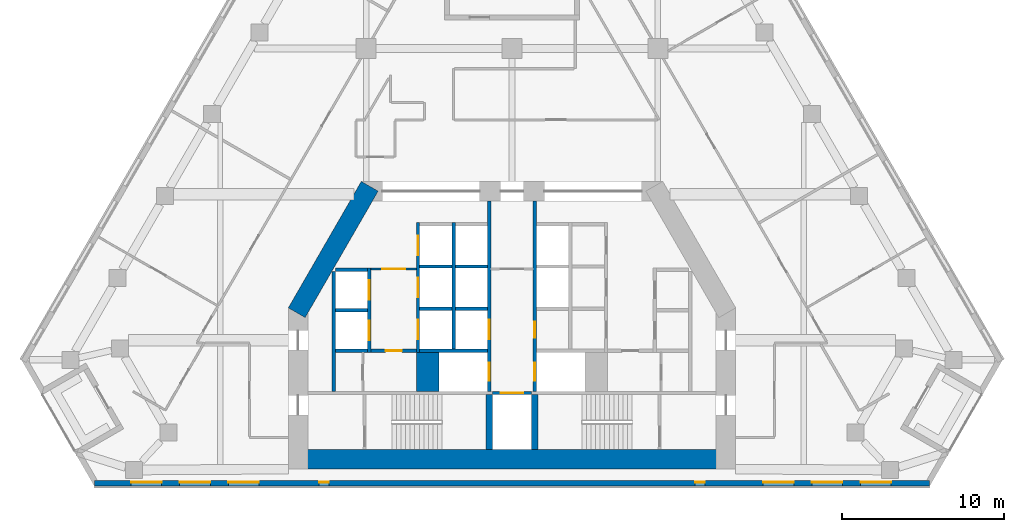
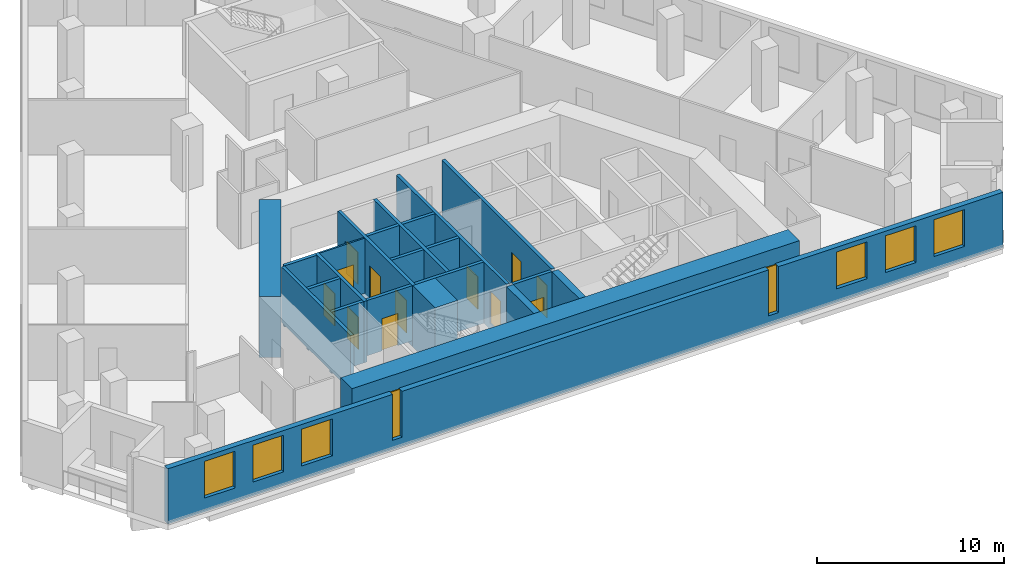
# One storey, part 4 of 10: 23 walls, 12 doors, 8 windows, 20 openings.
"""IFC4 building model written with IfcOpenShell, lengths in metres."""

from ifc_helpers import new_model, si_unit, direction, frame, frame_2d, origin, place, context, subcontext, project, spatial, rectangle, extrude, material, layer, layer_set, type_object, element, fill, save


model = new_model("IFC4")

# Units and contexts
model_context = context("Model", 3, precision=1e-05, world=origin(), true_north=direction((0.0, 1.0)))
body_context = subcontext(model_context, "Body", "Model", "MODEL_VIEW")
ifc_project = project(units=[si_unit("LENGTHUNIT", "METRE"), si_unit("AREAUNIT", "SQUARE_METRE"), si_unit("VOLUMEUNIT", "CUBIC_METRE"), si_unit("PLANEANGLEUNIT", "RADIAN"), si_unit("MASSUNIT", "GRAM", prefix="KILO")], contexts=[model_context])

# Site, building, storey
site_placement = place(None, origin())
site = spatial("IfcSite", under=ifc_project, at=site_placement, CompositionType="ELEMENT")
building_placement = place(site_placement, origin())
building = spatial("IfcBuilding", under=site, at=building_placement, Name="Fogline Exchange Tower", CompositionType="ELEMENT")
storey_placement = place(building_placement, frame((0.0, 0.0, 108.10009765625)))
storey = spatial("IfcBuildingStorey", under=building, at=storey_placement, Name="L23", CompositionType="ELEMENT", Elevation=108.10009765625)

# Wall, opening, door
ifc_material_1 = material(Name="Blockwork partition", Category="masonry")
ifc_layer_1 = layer(ifc_material_1, 0.10009765625)
ifc_layer_set_1 = layer_set([ifc_layer_1], Name="CW10")
wall_type_1 = type_object("IfcWallType", Name="CW10", PredefinedType="PARTITIONING", material=ifc_layer_set_1)
wall_1_placement = place(storey_placement, frame((-8.699951171875, 13.39990234375, 0.0), z_axis=(0.0, 0.0, 1.0), x_axis=(1.0, 0.0, 0.0)))
wall_1 = element("IfcWall", 1, at=wall_1_placement, inside=storey, type_object=wall_type_1, Name="Lift lobby partition", PredefinedType="PARTITIONING", context=body_context, shape_type="SweptSolid", body=[
    extrude(rectangle(XDim=2.800048828125, YDim=0.10009765625, at=frame_2d((1.39990234375, 0.0))), origin(), (0.0, 0.0, 1.0), 3.599853515625),
])
opening_1_placement = place(wall_1_placement, frame((0.699951171875, 0.0, 0.0)))
opening_1 = element("IfcOpeningElement", 2, at=opening_1_placement, cuts=wall_1, Name="Opening T07-C007", PredefinedType="OPENING", context=body_context, shape_type="SweptSolid", body=[
    extrude(rectangle(XDim=1.39990234375, YDim=2.10009765625, at=frame_2d((0.699951171875, 1.050048828125))), frame((0.0, 0.06005859375, 0.0), z_axis=(0.0, -1.0, 0.0), x_axis=(1.0, 0.0, 0.0)), (0.0, 0.0, 1.0), 0.1201171875),
])
ifc_material_2 = material(Name="Steel and timber fire door", Category="steel")
door_type_1 = type_object("IfcDoorType", Name="D-LB1", OperationType="DOUBLE_DOOR_SINGLE_SWING", PredefinedType="DOOR", material=ifc_material_2)
door_1_placement = place(opening_1_placement, frame((1.39990234375, 0.0, 0.0), z_axis=(0.0, 0.0, 1.0), x_axis=(-1.0, 0.0, 0.0)))
door_1 = element("IfcDoor", 3, at=door_1_placement, inside=storey, type_object=door_type_1, Name="Door to lift lobby", OperationType="DOUBLE_DOOR_SINGLE_SWING", OverallHeight=2.10009765625, OverallWidth=1.39990234375, PredefinedType="DOOR", context=body_context, shape_type="SweptSolid", body=[
    extrude(rectangle(XDim=1.39990234375, YDim=2.10009765625, at=frame_2d((0.699951171875, 1.050048828125))), frame((0.0, 0.02490234375, 0.0), z_axis=(0.0, -1.0, 0.0), x_axis=(1.0, 0.0, 0.0)), (0.0, 0.0, 1.0), 0.050048828125),
])
fill(opening_1, door_1)

# Walls
ifc_material_3 = material(Name="Concrete C60", Category="concrete")
ifc_layer_2 = layer(ifc_material_3, 1.39990234375)
ifc_layer_set_2 = layer_set([ifc_layer_2], Name="CW140")
wall_type_2 = type_object("IfcWallType", Name="CW140", PredefinedType="SOLIDWALL", material=ifc_layer_set_2)
wall_2_placement = place(storey_placement, frame((-5.199951171875, 5.85009765625, -0.400146484375), z_axis=(0.0, 0.0, 1.0), x_axis=(0.0, 1.0, 0.0)))
element("IfcWall", 4, at=wall_2_placement, inside=storey, type_object=wall_type_2, Name="Lift shaft block wall", PredefinedType="SOLIDWALL", context=body_context, shape_type="SweptSolid", body=[
    extrude(rectangle(XDim=2.39990234375, YDim=1.39990234375, at=frame_2d((1.199951171875, 0.0))), origin(), (0.0, 0.0, 1.0), 4.0),
])
ifc_material_4 = material(Name="Concrete C40", Category="concrete")
ifc_layer_3 = layer(ifc_material_4, 0.199951171875)
ifc_layer_set_3 = layer_set([ifc_layer_3], Name="CW20")
wall_type_3 = type_object("IfcWallType", Name="CW20", PredefinedType="SOLIDWALL", material=ifc_layer_set_3)
wall_3_placement = place(storey_placement, frame((-11.0, 5.85009765625, 0.0), z_axis=(0.0, 0.0, 1.0), x_axis=(0.0, 1.0, 0.0)))
element("IfcWall", 5, at=wall_3_placement, inside=storey, type_object=wall_type_3, Name="Service room wall", PredefinedType="SOLIDWALL", context=body_context, shape_type="SweptSolid", body=[
    extrude(rectangle(XDim=7.39990234375, YDim=0.199951171875, at=frame_2d((3.699951171875, 0.0))), origin(), (0.0, 0.0, 1.0), 3.599853515625),
])

# Wall, opening, door
wall_4_placement = place(storey_placement, frame((-8.699951171875, 8.35009765625, 0.0), z_axis=(0.0, 0.0, 1.0), x_axis=(1.0, 0.0, 0.0)))
wall_4 = element("IfcWall", 6, at=wall_4_placement, inside=storey, type_object=wall_type_3, Name="WC wall", PredefinedType="SOLIDWALL", context=body_context, shape_type="SweptSolid", body=[
    extrude(rectangle(XDim=2.800048828125, YDim=0.199951171875, at=frame_2d((1.39990234375, 0.0))), origin(), (0.0, 0.0, 1.0), 3.599853515625),
])
opening_2_placement = place(wall_4_placement, frame((0.89990234375, 0.0, 0.0)))
opening_2 = element("IfcOpeningElement", 7, at=opening_2_placement, cuts=wall_4, Name="Opening T07-C008", PredefinedType="OPENING", context=body_context, shape_type="SweptSolid", body=[
    extrude(rectangle(XDim=1.0, YDim=2.10009765625, at=frame_2d((0.5, 1.050048828125))), frame((0.0, 0.10986328125, 0.0), z_axis=(0.0, -1.0, 0.0), x_axis=(1.0, 0.0, 0.0)), (0.0, 0.0, 1.0), 0.219970703125),
])
door_type_2 = type_object("IfcDoorType", Name="D-WC1", OperationType="SINGLE_SWING_LEFT", PredefinedType="DOOR", material=ifc_material_2)
door_2_placement = place(opening_2_placement, frame((1.0, 0.0, 0.0), z_axis=(0.0, 0.0, 1.0), x_axis=(-1.0, 0.0, 0.0)))
door_2 = element("IfcDoor", 8, at=door_2_placement, inside=storey, type_object=door_type_2, Name="Door to Men's WC", OperationType="SINGLE_SWING_LEFT", OverallHeight=2.10009765625, OverallWidth=1.0, PredefinedType="DOOR", context=body_context, shape_type="SweptSolid", body=[
    extrude(rectangle(XDim=1.0, YDim=2.10009765625, at=frame_2d((0.5, 1.050048828125))), frame((0.0, 0.02490234375, 0.0), z_axis=(0.0, -1.0, 0.0), x_axis=(1.0, 0.0, 0.0)), (0.0, 0.0, 1.0), 0.050048828125),
])
fill(opening_2, door_2)

ifc_layer_4 = layer(ifc_material_4, 0.199951171875)
ifc_layer_set_4 = layer_set([ifc_layer_4], Name="CW20R")
wall_type_4 = type_object("IfcWallType", Name="CW20R", PredefinedType="SOLIDWALL", material=ifc_layer_set_4)
wall_5_placement = place(storey_placement, frame((-1.199951171875, 5.75, -0.400146484375), z_axis=(0.0, 0.0, 1.0), x_axis=(1.0, 0.0, 0.0)))
wall_5 = element("IfcWall", 9, at=wall_5_placement, inside=storey, type_object=wall_type_4, Name="Stair enclosure wall", PredefinedType="SOLIDWALL", context=body_context, shape_type="SweptSolid", body=[
    extrude(rectangle(XDim=2.39990234375, YDim=0.199951171875, at=frame_2d((1.199951171875, 0.0))), origin(), (0.0, 0.0, 1.0), 4.0),
])
opening_3_placement = place(wall_5_placement, frame((0.5, 0.0, 0.39990234375)))
opening_3 = element("IfcOpeningElement", 10, at=opening_3_placement, cuts=wall_5, Name="Opening T07-LD09", PredefinedType="OPENING", context=body_context, shape_type="SweptSolid", body=[
    extrude(rectangle(XDim=1.39990234375, YDim=2.10009765625, at=frame_2d((0.699951171875, 1.050048828125))), frame((0.0, 0.10986328125, 0.0), z_axis=(0.0, -1.0, 0.0), x_axis=(1.0, 0.0, 0.0)), (0.0, 0.0, 1.0), 0.219970703125),
])
door_type_3 = type_object("IfcDoorType", Name="LD3", OperationType="SLIDING_TO_LEFT", PredefinedType="DOOR", material=ifc_material_2)
door_3_placement = place(opening_3_placement, origin())
door_3 = element("IfcDoor", 11, at=door_3_placement, inside=storey, type_object=door_type_3, Name="Landing door GL1", OperationType="SLIDING_TO_LEFT", OverallHeight=2.10009765625, OverallWidth=1.39990234375, PredefinedType="DOOR", context=body_context, shape_type="SweptSolid", body=[
    extrude(rectangle(XDim=1.39990234375, YDim=2.10009765625, at=frame_2d((0.699951171875, 1.050048828125))), frame((0.0, 0.02490234375, 0.0), z_axis=(0.0, -1.0, 0.0), x_axis=(1.0, 0.0, 0.0)), (0.0, 0.0, 1.0), 0.050048828125),
])
fill(opening_3, door_3)

# Wall, openings, doors
ifc_layer_5 = layer(ifc_material_4, 0.199951171875)
ifc_layer_set_5 = layer_set([ifc_layer_5], Name="CW20S")
wall_type_5 = type_object("IfcWallType", Name="CW20S", PredefinedType="SOLIDWALL", material=ifc_layer_set_5)
wall_6_placement = place(storey_placement, frame((-8.800048828125, 8.25, -0.400146484375), z_axis=(0.0, 0.0, 1.0), x_axis=(0.0, 1.0, 0.0)))
wall_6 = element("IfcWall", 12, at=wall_6_placement, inside=storey, type_object=wall_type_5, Name="Lift shaft wall", PredefinedType="SOLIDWALL", context=body_context, shape_type="SweptSolid", body=[
    extrude(rectangle(XDim=5.199951171875, YDim=0.199951171875, at=frame_2d((2.60009765625, 0.0))), origin(), (0.0, 0.0, 1.0), 4.0),
])
opening_4_placement = place(wall_6_placement, frame((0.75, 0.0, 0.39990234375)))
opening_4 = element("IfcOpeningElement", 13, at=opening_4_placement, cuts=wall_6, Name="Opening T07-LD01", PredefinedType="OPENING", context=body_context, shape_type="SweptSolid", body=[
    extrude(rectangle(XDim=1.199951171875, YDim=2.10009765625, at=frame_2d((0.60009765625, 1.050048828125))), frame((0.0, 0.10986328125, 0.0), z_axis=(0.0, -1.0, 0.0), x_axis=(1.0, 0.0, 0.0)), (0.0, 0.0, 1.0), 0.219970703125),
])
opening_5_placement = place(wall_6_placement, frame((3.25, 0.0, 0.39990234375)))
opening_5 = element("IfcOpeningElement", 14, at=opening_5_placement, cuts=wall_6, Name="Opening T07-LD02", PredefinedType="OPENING", context=body_context, shape_type="SweptSolid", body=[
    extrude(rectangle(XDim=1.199951171875, YDim=2.10009765625, at=frame_2d((0.60009765625, 1.050048828125))), frame((0.0, 0.10986328125, 0.0), z_axis=(0.0, -1.0, 0.0), x_axis=(1.0, 0.0, 0.0)), (0.0, 0.0, 1.0), 0.219970703125),
])
door_type_4 = type_object("IfcDoorType", Name="LD1", OperationType="SLIDING_TO_LEFT", PredefinedType="DOOR", material=ifc_material_2)
door_4_placement = place(opening_4_placement, origin())
door_4 = element("IfcDoor", 15, at=door_4_placement, inside=storey, type_object=door_type_4, Name="Landing door LR1", OperationType="SLIDING_TO_LEFT", OverallHeight=2.10009765625, OverallWidth=1.199951171875, PredefinedType="DOOR", context=body_context, shape_type="SweptSolid", body=[
    extrude(rectangle(XDim=1.199951171875, YDim=2.10009765625, at=frame_2d((0.60009765625, 1.050048828125))), frame((0.0, 0.02490234375, 0.0), z_axis=(0.0, -1.0, 0.0), x_axis=(1.0, 0.0, 0.0)), (0.0, 0.0, 1.0), 0.050048828125),
])
fill(opening_4, door_4)
door_5_placement = place(opening_5_placement, origin())
door_5 = element("IfcDoor", 16, at=door_5_placement, inside=storey, type_object=door_type_4, Name="Landing door LR2", OperationType="SLIDING_TO_LEFT", OverallHeight=2.10009765625, OverallWidth=1.199951171875, PredefinedType="DOOR", context=body_context, shape_type="SweptSolid", body=[
    extrude(rectangle(XDim=1.199951171875, YDim=2.10009765625, at=frame_2d((0.60009765625, 1.050048828125))), frame((0.0, 0.02490234375, 0.0), z_axis=(0.0, -1.0, 0.0), x_axis=(1.0, 0.0, 0.0)), (0.0, 0.0, 1.0), 0.050048828125),
])
fill(opening_5, door_5)

wall_7_placement = place(storey_placement, frame((-5.800048828125, 8.25, -0.400146484375), z_axis=(0.0, 0.0, 1.0), x_axis=(0.0, 1.0, 0.0)))
wall_7 = element("IfcWall", 17, at=wall_7_placement, inside=storey, type_object=wall_type_5, Name="Lift shaft wall", PredefinedType="SOLIDWALL", context=body_context, shape_type="SweptSolid", body=[
    extrude(rectangle(XDim=8.0, YDim=0.199951171875, at=frame_2d((4.0, 0.0))), origin(), (0.0, 0.0, 1.0), 4.0),
])
opening_6_placement = place(wall_7_placement, frame((0.800048828125, 0.0, 0.39990234375)))
opening_6 = element("IfcOpeningElement", 18, at=opening_6_placement, cuts=wall_7, Name="Opening T07-LD03", PredefinedType="OPENING", context=body_context, shape_type="SweptSolid", body=[
    extrude(rectangle(XDim=1.199951171875, YDim=2.10009765625, at=frame_2d((0.60009765625, 1.050048828125))), frame((0.0, 0.10986328125, 0.0), z_axis=(0.0, -1.0, 0.0), x_axis=(1.0, 0.0, 0.0)), (0.0, 0.0, 1.0), 0.219970703125),
])
opening_7_placement = place(wall_7_placement, frame((3.39990234375, 0.0, 0.39990234375)))
opening_7 = element("IfcOpeningElement", 19, at=opening_7_placement, cuts=wall_7, Name="Opening T07-LD04", PredefinedType="OPENING", context=body_context, shape_type="SweptSolid", body=[
    extrude(rectangle(XDim=1.199951171875, YDim=2.10009765625, at=frame_2d((0.60009765625, 1.050048828125))), frame((0.0, 0.10986328125, 0.0), z_axis=(0.0, -1.0, 0.0), x_axis=(1.0, 0.0, 0.0)), (0.0, 0.0, 1.0), 0.219970703125),
])
opening_8_placement = place(wall_7_placement, frame((6.0, 0.0, 0.39990234375)))
opening_8 = element("IfcOpeningElement", 20, at=opening_8_placement, cuts=wall_7, Name="Opening T07-LD05", PredefinedType="OPENING", context=body_context, shape_type="SweptSolid", body=[
    extrude(rectangle(XDim=1.199951171875, YDim=2.10009765625, at=frame_2d((0.60009765625, 1.050048828125))), frame((0.0, 0.10986328125, 0.0), z_axis=(0.0, -1.0, 0.0), x_axis=(1.0, 0.0, 0.0)), (0.0, 0.0, 1.0), 0.219970703125),
])
door_6_placement = place(opening_6_placement, origin())
door_6 = element("IfcDoor", 21, at=door_6_placement, inside=storey, type_object=door_type_4, Name="Landing door LR3", OperationType="SLIDING_TO_LEFT", OverallHeight=2.10009765625, OverallWidth=1.199951171875, PredefinedType="DOOR", context=body_context, shape_type="SweptSolid", body=[
    extrude(rectangle(XDim=1.199951171875, YDim=2.10009765625, at=frame_2d((0.60009765625, 1.050048828125))), frame((0.0, 0.02490234375, 0.0), z_axis=(0.0, -1.0, 0.0), x_axis=(1.0, 0.0, 0.0)), (0.0, 0.0, 1.0), 0.050048828125),
])
fill(opening_6, door_6)
door_7_placement = place(opening_7_placement, origin())
door_7 = element("IfcDoor", 22, at=door_7_placement, inside=storey, type_object=door_type_4, Name="Landing door LR4", OperationType="SLIDING_TO_LEFT", OverallHeight=2.10009765625, OverallWidth=1.199951171875, PredefinedType="DOOR", context=body_context, shape_type="SweptSolid", body=[
    extrude(rectangle(XDim=1.199951171875, YDim=2.10009765625, at=frame_2d((0.60009765625, 1.050048828125))), frame((0.0, 0.02490234375, 0.0), z_axis=(0.0, -1.0, 0.0), x_axis=(1.0, 0.0, 0.0)), (0.0, 0.0, 1.0), 0.050048828125),
])
fill(opening_7, door_7)
door_8_placement = place(opening_8_placement, origin())
door_8 = element("IfcDoor", 23, at=door_8_placement, inside=storey, type_object=door_type_4, Name="Landing door LR5", OperationType="SLIDING_TO_LEFT", OverallHeight=2.10009765625, OverallWidth=1.199951171875, PredefinedType="DOOR", context=body_context, shape_type="SweptSolid", body=[
    extrude(rectangle(XDim=1.199951171875, YDim=2.10009765625, at=frame_2d((0.60009765625, 1.050048828125))), frame((0.0, 0.02490234375, 0.0), z_axis=(0.0, -1.0, 0.0), x_axis=(1.0, 0.0, 0.0)), (0.0, 0.0, 1.0), 0.050048828125),
])
fill(opening_8, door_8)

# Wall
wall_8_placement = place(storey_placement, frame((-3.60009765625, 8.449951171875, -0.400146484375), z_axis=(0.0, 0.0, 1.0), x_axis=(0.0, 1.0, 0.0)))
element("IfcWall", 24, at=wall_8_placement, inside=storey, type_object=wall_type_5, Name="Lift shaft wall", PredefinedType="SOLIDWALL", context=body_context, shape_type="SweptSolid", body=[
    extrude(rectangle(XDim=7.800048828125, YDim=0.199951171875, at=frame_2d((3.89990234375, 0.0))), origin(), (0.0, 0.0, 1.0), 4.0),
])

# Wall, openings, doors
wall_9_placement = place(storey_placement, frame((-1.39990234375, 5.85009765625, -0.400146484375), z_axis=(0.0, 0.0, 1.0), x_axis=(0.0, 1.0, 0.0)))
wall_9 = element("IfcWall", 25, at=wall_9_placement, inside=storey, type_object=wall_type_5, Name="Lift lobby wall", PredefinedType="SOLIDWALL", context=body_context, shape_type="SweptSolid", body=[
    extrude(rectangle(XDim=11.75, YDim=0.199951171875, at=frame_2d((5.875, 0.0))), origin(), (0.0, 0.0, 1.0), 4.0),
])
opening_9_placement = place(wall_9_placement, frame((3.199951171875, 0.0, 0.39990234375)))
opening_9 = element("IfcOpeningElement", 26, at=opening_9_placement, cuts=wall_9, Name="Opening T07-LD06", PredefinedType="OPENING", context=body_context, shape_type="SweptSolid", body=[
    extrude(rectangle(XDim=1.199951171875, YDim=2.10009765625, at=frame_2d((0.60009765625, 1.050048828125))), frame((0.0, 0.10986328125, 0.0), z_axis=(0.0, -1.0, 0.0), x_axis=(1.0, 0.0, 0.0)), (0.0, 0.0, 1.0), 0.219970703125),
])
opening_10_placement = place(wall_9_placement, frame((0.64990234375, 0.0, 0.39990234375)))
opening_10 = element("IfcOpeningElement", 27, at=opening_10_placement, cuts=wall_9, Name="Opening T07-LD07", PredefinedType="OPENING", context=body_context, shape_type="SweptSolid", body=[
    extrude(rectangle(XDim=1.10009765625, YDim=2.10009765625, at=frame_2d((0.550048828125, 1.050048828125))), frame((0.0, 0.10986328125, 0.0), z_axis=(0.0, -1.0, 0.0), x_axis=(1.0, 0.0, 0.0)), (0.0, 0.0, 1.0), 0.219970703125),
])
door_9_placement = place(opening_9_placement, origin())
door_9 = element("IfcDoor", 28, at=door_9_placement, inside=storey, type_object=door_type_4, Name="Landing door LR6", OperationType="SLIDING_TO_LEFT", OverallHeight=2.10009765625, OverallWidth=1.199951171875, PredefinedType="DOOR", context=body_context, shape_type="SweptSolid", body=[
    extrude(rectangle(XDim=1.199951171875, YDim=2.10009765625, at=frame_2d((0.60009765625, 1.050048828125))), frame((0.0, 0.02490234375, 0.0), z_axis=(0.0, -1.0, 0.0), x_axis=(1.0, 0.0, 0.0)), (0.0, 0.0, 1.0), 0.050048828125),
])
fill(opening_9, door_9)
door_type_5 = type_object("IfcDoorType", Name="LD2", OperationType="SLIDING_TO_RIGHT", PredefinedType="DOOR", material=ifc_material_2)
door_10_placement = place(opening_10_placement, origin())
door_10 = element("IfcDoor", 29, at=door_10_placement, inside=storey, type_object=door_type_5, Name="Landing door FF1", OperationType="SLIDING_TO_RIGHT", OverallHeight=2.10009765625, OverallWidth=1.10009765625, PredefinedType="DOOR", context=body_context, shape_type="SweptSolid", body=[
    extrude(rectangle(XDim=1.10009765625, YDim=2.10009765625, at=frame_2d((0.550048828125, 1.050048828125))), frame((0.0, 0.02490234375, 0.0), z_axis=(0.0, -1.0, 0.0), x_axis=(1.0, 0.0, 0.0)), (0.0, 0.0, 1.0), 0.050048828125),
])
fill(opening_10, door_10)

wall_10_placement = place(storey_placement, frame((1.39990234375, 5.85009765625, -0.400146484375), z_axis=(0.0, 0.0, 1.0), x_axis=(0.0, 1.0, 0.0)))
wall_10 = element("IfcWall", 30, at=wall_10_placement, inside=storey, type_object=wall_type_5, Name="Lift lobby wall", PredefinedType="SOLIDWALL", context=body_context, shape_type="SweptSolid", body=[
    extrude(rectangle(XDim=11.75, YDim=0.199951171875, at=frame_2d((5.875, 0.0))), origin(), (0.0, 0.0, 1.0), 4.0),
])
opening_11_placement = place(wall_10_placement, frame((0.64990234375, 0.0, 0.39990234375)))
opening_11 = element("IfcOpeningElement", 31, at=opening_11_placement, cuts=wall_10, Name="Opening T07-LD08", PredefinedType="OPENING", context=body_context, shape_type="SweptSolid", body=[
    extrude(rectangle(XDim=1.10009765625, YDim=2.10009765625, at=frame_2d((0.550048828125, 1.050048828125))), frame((0.0, 0.10986328125, 0.0), z_axis=(0.0, -1.0, 0.0), x_axis=(1.0, 0.0, 0.0)), (0.0, 0.0, 1.0), 0.219970703125),
])
opening_12_placement = place(wall_10_placement, frame((3.300048828125, 0.0, 0.39990234375)))
opening_12 = element("IfcOpeningElement", 32, at=opening_12_placement, cuts=wall_10, Name="Opening T07-C006", PredefinedType="OPENING", context=body_context, shape_type="SweptSolid", body=[
    extrude(rectangle(XDim=1.0, YDim=2.10009765625, at=frame_2d((0.5, 1.050048828125))), frame((0.0, 0.10986328125, 0.0), z_axis=(0.0, -1.0, 0.0), x_axis=(1.0, 0.0, 0.0)), (0.0, 0.0, 1.0), 0.219970703125),
])
door_type_6 = type_object("IfcDoorType", Name="D-RM1", OperationType="SINGLE_SWING_LEFT", PredefinedType="DOOR", material=ifc_material_2)
door_11_placement = place(opening_12_placement, frame((1.0, 0.0, 0.0), z_axis=(0.0, 0.0, 1.0), x_axis=(-1.0, 0.0, 0.0)))
door_11 = element("IfcDoor", 33, at=door_11_placement, inside=storey, type_object=door_type_6, Name="Door to Server Room", OperationType="SINGLE_SWING_RIGHT", OverallHeight=2.10009765625, OverallWidth=1.0, PredefinedType="DOOR", context=body_context, shape_type="SweptSolid", body=[
    extrude(rectangle(XDim=1.0, YDim=2.10009765625, at=frame_2d((0.5, 1.050048828125))), frame((0.0, 0.02490234375, 0.0), z_axis=(0.0, -1.0, 0.0), x_axis=(1.0, 0.0, 0.0)), (0.0, 0.0, 1.0), 0.050048828125),
])
fill(opening_12, door_11)
door_12_placement = place(opening_11_placement, origin())
door_12 = element("IfcDoor", 34, at=door_12_placement, inside=storey, type_object=door_type_5, Name="Landing door FF2", OperationType="SLIDING_TO_RIGHT", OverallHeight=2.10009765625, OverallWidth=1.10009765625, PredefinedType="DOOR", context=body_context, shape_type="SweptSolid", body=[
    extrude(rectangle(XDim=1.10009765625, YDim=2.10009765625, at=frame_2d((0.550048828125, 1.050048828125))), frame((0.0, 0.02490234375, 0.0), z_axis=(0.0, -1.0, 0.0), x_axis=(1.0, 0.0, 0.0)), (0.0, 0.0, 1.0), 0.050048828125),
])
fill(opening_11, door_12)

# Walls
wall_11_placement = place(storey_placement, frame((-10.89990234375, 8.35009765625, -0.400146484375), z_axis=(0.0, 0.0, 1.0), x_axis=(1.0, 0.0, 0.0)))
element("IfcWall", 35, at=wall_11_placement, inside=storey, type_object=wall_type_5, Name="Lift shaft wall", PredefinedType="SOLIDWALL", context=body_context, shape_type="SweptSolid", body=[
    extrude(rectangle(XDim=2.0, YDim=0.199951171875, at=frame_2d((1.0, 0.0))), origin(), (0.0, 0.0, 1.0), 4.0),
])
wall_12_placement = place(storey_placement, frame((-5.699951171875, 8.35009765625, -0.400146484375), z_axis=(0.0, 0.0, 1.0), x_axis=(1.0, 0.0, 0.0)))
element("IfcWall", 36, at=wall_12_placement, inside=storey, type_object=wall_type_5, Name="Lift shaft wall", PredefinedType="SOLIDWALL", context=body_context, shape_type="SweptSolid", body=[
    extrude(rectangle(XDim=4.199951171875, YDim=0.199951171875, at=frame_2d((2.10009765625, 0.0))), origin(), (0.0, 0.0, 1.0), 4.0),
])
for number, where, z_axis, x_axis, name in (
    (37, (-10.89990234375, 10.85009765625, -0.400146484375), (0.0, 0.0, 1.0), (1.0, 0.0, 0.0), "Lift shaft wall"),
    (38, (-10.89990234375, 13.35009765625, -0.400146484375), (0.0, 0.0, 1.0), (1.0, 0.0, 0.0), "Lift shaft wall"),
    (39, (-5.699951171875, 10.949951171875, -0.400146484375), (0.0, 0.0, 1.0), (1.0, 0.0, 0.0), "Lift shaft wall"),
    (40, (-5.699951171875, 13.550048828125, -0.400146484375), (0.0, 0.0, 1.0), (1.0, 0.0, 0.0), "Lift shaft wall"),
    (41, (-3.5, 10.949951171875, -0.400146484375), (0.0, 0.0, 1.0), (1.0, 0.0, 0.0), "Lift shaft wall"),
    (42, (-3.5, 13.550048828125, -0.400146484375), (0.0, 0.0, 1.0), (1.0, 0.0, 0.0), "Lift shaft wall"),
):
    element("IfcWall", number, at=place(storey_placement, frame(where, z_axis=z_axis, x_axis=x_axis)), inside=storey, type_object=wall_type_5, Name=name, PredefinedType="SOLIDWALL", context=body_context, shape_type="SweptSolid", body=[
        extrude(rectangle(XDim=2.0, YDim=0.199951171875, at=frame_2d((1.0, 0.0))), origin(), (0.0, 0.0, 1.0), 4.0),
    ])
ifc_layer_6 = layer(ifc_material_4, 0.39990234375)
ifc_layer_set_6 = layer_set([ifc_layer_6], Name="CW40R")
wall_type_6 = type_object("IfcWallType", Name="CW40R", PredefinedType="SOLIDWALL", material=ifc_layer_set_6)
for number, where, z_axis, x_axis, name in (
    (43, (-1.39990234375, 2.25, -0.400146484375), (0.0, 0.0, 1.0), (0.0, 1.0, 0.0), "Stair and lift shaft wall"),
    (44, (1.39990234375, 2.25, -0.400146484375), (0.0, 0.0, 1.0), (0.0, 1.0, 0.0), "Stair and lift shaft wall"),
):
    element("IfcWall", number, at=place(storey_placement, frame(where, z_axis=z_axis, x_axis=x_axis)), inside=storey, type_object=wall_type_6, Name=name, PredefinedType="SOLIDWALL", context=body_context, shape_type="SweptSolid", body=[
        extrude(rectangle(XDim=3.39990234375, YDim=0.39990234375, at=frame_2d((1.699951171875, 0.0))), origin(), (0.0, 0.0, 1.0), 4.0),
    ])

# Wall, openings, windows
ifc_material_5 = material(Name="Brick masonry", Category="masonry")
ifc_layer_7 = layer(ifc_material_5, 0.340087890625)
ifc_layer_set_7 = layer_set([ifc_layer_7], Name="FW1")
wall_type_7 = type_object("IfcWallType", Name="FW1", PredefinedType="SOLIDWALL", material=ifc_layer_set_7)
wall_13_placement = place(storey_placement, frame((-25.765625, 0.169921875, 0.0), z_axis=(0.0, 0.0, 1.0), x_axis=(1.0, 0.0, 0.0)))
wall_13 = element("IfcWall", 45, at=wall_13_placement, inside=storey, type_object=wall_type_7, Name="Brick wall L23 S", PredefinedType="SOLIDWALL", context=body_context, shape_type="SweptSolid", body=[
    extrude(rectangle(XDim=51.53125, YDim=0.340087890625, at=frame_2d((25.765625, 0.0))), origin(), (0.0, 0.0, 1.0), 3.599853515625),
])
opening_13_placement = place(wall_13_placement, frame((2.265625, 0.0, 0.89990234375)))
opening_13 = element("IfcOpeningElement", 46, at=opening_13_placement, cuts=wall_13, Name="Opening W1", PredefinedType="OPENING", context=body_context, shape_type="SweptSolid", body=[
    extrude(rectangle(XDim=1.885009765625, YDim=2.39990234375, at=frame_2d((0.9423828125, 1.199951171875))), frame((0.0, 0.18017578125, 0.0), z_axis=(0.0, -1.0, 0.0), x_axis=(1.0, 0.0, 0.0)), (0.0, 0.0, 1.0), 0.360107421875),
])
opening_14_placement = place(wall_13_placement, frame((5.265625, 0.0, 0.89990234375)))
opening_14 = element("IfcOpeningElement", 47, at=opening_14_placement, cuts=wall_13, Name="Opening W1", PredefinedType="OPENING", context=body_context, shape_type="SweptSolid", body=[
    extrude(rectangle(XDim=1.885009765625, YDim=2.39990234375, at=frame_2d((0.9423828125, 1.199951171875))), frame((0.0, 0.18017578125, 0.0), z_axis=(0.0, -1.0, 0.0), x_axis=(1.0, 0.0, 0.0)), (0.0, 0.0, 1.0), 0.360107421875),
])
opening_15_placement = place(wall_13_placement, frame((8.265625, 0.0, 0.89990234375)))
opening_15 = element("IfcOpeningElement", 48, at=opening_15_placement, cuts=wall_13, Name="Opening W1", PredefinedType="OPENING", context=body_context, shape_type="SweptSolid", body=[
    extrude(rectangle(XDim=1.885009765625, YDim=2.39990234375, at=frame_2d((0.9423828125, 1.199951171875))), frame((0.0, 0.18017578125, 0.0), z_axis=(0.0, -1.0, 0.0), x_axis=(1.0, 0.0, 0.0)), (0.0, 0.0, 1.0), 0.360107421875),
])
opening_16_placement = place(wall_13_placement, frame((41.265625, 0.0, 0.89990234375)))
opening_16 = element("IfcOpeningElement", 49, at=opening_16_placement, cuts=wall_13, Name="Opening W1", PredefinedType="OPENING", context=body_context, shape_type="SweptSolid", body=[
    extrude(rectangle(XDim=1.885009765625, YDim=2.39990234375, at=frame_2d((0.9423828125, 1.199951171875))), frame((0.0, 0.18017578125, 0.0), z_axis=(0.0, -1.0, 0.0), x_axis=(1.0, 0.0, 0.0)), (0.0, 0.0, 1.0), 0.360107421875),
])
opening_17_placement = place(wall_13_placement, frame((44.265625, 0.0, 0.89990234375)))
opening_17 = element("IfcOpeningElement", 50, at=opening_17_placement, cuts=wall_13, Name="Opening W1", PredefinedType="OPENING", context=body_context, shape_type="SweptSolid", body=[
    extrude(rectangle(XDim=1.885009765625, YDim=2.39990234375, at=frame_2d((0.9423828125, 1.199951171875))), frame((0.0, 0.18017578125, 0.0), z_axis=(0.0, -1.0, 0.0), x_axis=(1.0, 0.0, 0.0)), (0.0, 0.0, 1.0), 0.360107421875),
])
opening_18_placement = place(wall_13_placement, frame((47.265625, 0.0, 0.89990234375)))
opening_18 = element("IfcOpeningElement", 51, at=opening_18_placement, cuts=wall_13, Name="Opening W1", PredefinedType="OPENING", context=body_context, shape_type="SweptSolid", body=[
    extrude(rectangle(XDim=1.885009765625, YDim=2.39990234375, at=frame_2d((0.9423828125, 1.199951171875))), frame((0.0, 0.18017578125, 0.0), z_axis=(0.0, -1.0, 0.0), x_axis=(1.0, 0.0, 0.0)), (0.0, 0.0, 1.0), 0.360107421875),
])
opening_19_placement = place(wall_13_placement, frame((13.86572265625, 0.0, 0.60009765625)))
opening_19 = element("IfcOpeningElement", 52, at=opening_19_placement, cuts=wall_13, Name="Opening W5", PredefinedType="OPENING", context=body_context, shape_type="SweptSolid", body=[
    extrude(rectangle(XDim=0.60009765625, YDim=3.0, at=frame_2d((0.300048828125, 1.5))), frame((0.0, 0.18017578125, 0.0), z_axis=(0.0, -1.0, 0.0), x_axis=(1.0, 0.0, 0.0)), (0.0, 0.0, 1.0), 0.360107421875),
])
opening_20_placement = place(wall_13_placement, frame((37.065673828125, 0.0, 0.60009765625)))
opening_20 = element("IfcOpeningElement", 53, at=opening_20_placement, cuts=wall_13, Name="Opening W5", PredefinedType="OPENING", context=body_context, shape_type="SweptSolid", body=[
    extrude(rectangle(XDim=0.60009765625, YDim=3.0, at=frame_2d((0.300048828125, 1.5))), frame((0.0, 0.18017578125, 0.0), z_axis=(0.0, -1.0, 0.0), x_axis=(1.0, 0.0, 0.0)), (0.0, 0.0, 1.0), 0.360107421875),
])
ifc_material_6 = material(Name="Aluminium and glass", Category="aluminium")
window_type_1 = type_object("IfcWindowType", Name="W1", PartitioningType="SINGLE_PANEL", PredefinedType="WINDOW", material=ifc_material_6)
window_1_placement = place(opening_13_placement, origin())
window_1 = element("IfcWindow", 54, at=window_1_placement, inside=storey, type_object=window_type_1, Name="W1 W1", OverallHeight=2.39990234375, OverallWidth=1.885009765625, PartitioningType="SINGLE_PANEL", PredefinedType="WINDOW", context=body_context, shape_type="SweptSolid", body=[
    extrude(rectangle(XDim=1.885009765625, YDim=2.39990234375, at=frame_2d((0.9423828125, 1.199951171875))), frame((0.0, 0.110107421875, 0.0), z_axis=(0.0, -1.0, 0.0), x_axis=(1.0, 0.0, 0.0)), (0.0, 0.0, 1.0), 0.06005859375),
])
fill(opening_13, window_1)
window_2_placement = place(opening_14_placement, origin())
window_2 = element("IfcWindow", 55, at=window_2_placement, inside=storey, type_object=window_type_1, Name="W1 W1", OverallHeight=2.39990234375, OverallWidth=1.885009765625, PartitioningType="SINGLE_PANEL", PredefinedType="WINDOW", context=body_context, shape_type="SweptSolid", body=[
    extrude(rectangle(XDim=1.885009765625, YDim=2.39990234375, at=frame_2d((0.9423828125, 1.199951171875))), frame((0.0, 0.110107421875, 0.0), z_axis=(0.0, -1.0, 0.0), x_axis=(1.0, 0.0, 0.0)), (0.0, 0.0, 1.0), 0.06005859375),
])
fill(opening_14, window_2)
window_3_placement = place(opening_15_placement, origin())
window_3 = element("IfcWindow", 56, at=window_3_placement, inside=storey, type_object=window_type_1, Name="W1 W1", OverallHeight=2.39990234375, OverallWidth=1.885009765625, PartitioningType="SINGLE_PANEL", PredefinedType="WINDOW", context=body_context, shape_type="SweptSolid", body=[
    extrude(rectangle(XDim=1.885009765625, YDim=2.39990234375, at=frame_2d((0.9423828125, 1.199951171875))), frame((0.0, 0.110107421875, 0.0), z_axis=(0.0, -1.0, 0.0), x_axis=(1.0, 0.0, 0.0)), (0.0, 0.0, 1.0), 0.06005859375),
])
fill(opening_15, window_3)
window_4_placement = place(opening_16_placement, origin())
window_4 = element("IfcWindow", 57, at=window_4_placement, inside=storey, type_object=window_type_1, Name="W1 W1", OverallHeight=2.39990234375, OverallWidth=1.885009765625, PartitioningType="SINGLE_PANEL", PredefinedType="WINDOW", context=body_context, shape_type="SweptSolid", body=[
    extrude(rectangle(XDim=1.885009765625, YDim=2.39990234375, at=frame_2d((0.9423828125, 1.199951171875))), frame((0.0, 0.110107421875, 0.0), z_axis=(0.0, -1.0, 0.0), x_axis=(1.0, 0.0, 0.0)), (0.0, 0.0, 1.0), 0.06005859375),
])
fill(opening_16, window_4)
window_5_placement = place(opening_17_placement, origin())
window_5 = element("IfcWindow", 58, at=window_5_placement, inside=storey, type_object=window_type_1, Name="W1 W1", OverallHeight=2.39990234375, OverallWidth=1.885009765625, PartitioningType="SINGLE_PANEL", PredefinedType="WINDOW", context=body_context, shape_type="SweptSolid", body=[
    extrude(rectangle(XDim=1.885009765625, YDim=2.39990234375, at=frame_2d((0.9423828125, 1.199951171875))), frame((0.0, 0.110107421875, 0.0), z_axis=(0.0, -1.0, 0.0), x_axis=(1.0, 0.0, 0.0)), (0.0, 0.0, 1.0), 0.06005859375),
])
fill(opening_17, window_5)
window_6_placement = place(opening_18_placement, origin())
window_6 = element("IfcWindow", 59, at=window_6_placement, inside=storey, type_object=window_type_1, Name="W1 W1", OverallHeight=2.39990234375, OverallWidth=1.885009765625, PartitioningType="SINGLE_PANEL", PredefinedType="WINDOW", context=body_context, shape_type="SweptSolid", body=[
    extrude(rectangle(XDim=1.885009765625, YDim=2.39990234375, at=frame_2d((0.9423828125, 1.199951171875))), frame((0.0, 0.110107421875, 0.0), z_axis=(0.0, -1.0, 0.0), x_axis=(1.0, 0.0, 0.0)), (0.0, 0.0, 1.0), 0.06005859375),
])
fill(opening_18, window_6)
window_type_2 = type_object("IfcWindowType", Name="W5", PartitioningType="SINGLE_PANEL", PredefinedType="WINDOW", material=ifc_material_6)
window_7_placement = place(opening_19_placement, origin())
window_7 = element("IfcWindow", 60, at=window_7_placement, inside=storey, type_object=window_type_2, Name="W5 W5", OverallHeight=3.0, OverallWidth=0.60009765625, PartitioningType="SINGLE_PANEL", PredefinedType="WINDOW", context=body_context, shape_type="SweptSolid", body=[
    extrude(rectangle(XDim=0.60009765625, YDim=3.0, at=frame_2d((0.300048828125, 1.5))), frame((0.0, 0.110107421875, 0.0), z_axis=(0.0, -1.0, 0.0), x_axis=(1.0, 0.0, 0.0)), (0.0, 0.0, 1.0), 0.06005859375),
])
fill(opening_19, window_7)
window_8_placement = place(opening_20_placement, origin())
window_8 = element("IfcWindow", 61, at=window_8_placement, inside=storey, type_object=window_type_2, Name="W5 W5", OverallHeight=3.0, OverallWidth=0.60009765625, PartitioningType="SINGLE_PANEL", PredefinedType="WINDOW", context=body_context, shape_type="SweptSolid", body=[
    extrude(rectangle(XDim=0.60009765625, YDim=3.0, at=frame_2d((0.300048828125, 1.5))), frame((0.0, 0.110107421875, 0.0), z_axis=(0.0, -1.0, 0.0), x_axis=(1.0, 0.0, 0.0)), (0.0, 0.0, 1.0), 0.06005859375),
])
fill(opening_20, window_8)

# Walls
ifc_layer_8 = layer(ifc_material_3, 1.199951171875)
ifc_layer_set_8 = layer_set([ifc_layer_8], Name="SW02")
wall_type_8 = type_object("IfcWallType", Name="SW02", PredefinedType="SHEAR", material=ifc_layer_set_8)
wall_14_placement = place(storey_placement, frame((-13.800048828125, 1.64990234375, 0.0), z_axis=(0.0, 0.0, 1.0), x_axis=(1.0, 0.0, 0.0)))
element("IfcWall", 62, at=wall_14_placement, inside=storey, type_object=wall_type_8, Name="L23-W901", PredefinedType="SHEAR", context=body_context, shape_type="SweptSolid", body=[
    extrude(rectangle(XDim=27.60009765625, YDim=1.199951171875, at=frame_2d((13.800048828125, 0.0))), origin(), (0.0, 0.0, 1.0), 4.0),
])
wall_15_placement = place(storey_placement, frame((-8.776611328125, 18.5, 0.0), z_axis=(0.0, 0.0, 1.0), x_axis=(-0.499998513025, -0.866026262288, 0.0)))
element("IfcWall", 63, at=wall_15_placement, inside=storey, type_object=wall_type_8, Name="L23-W905", PredefinedType="SHEAR", context=body_context, shape_type="SweptSolid", body=[
    extrude(rectangle(XDim=9.0078125, YDim=1.199951171875, at=frame_2d((4.50390625, 0.0))), origin(), (0.0, 0.0, 1.0), 4.0),
])

save(model, "model.ifc")
